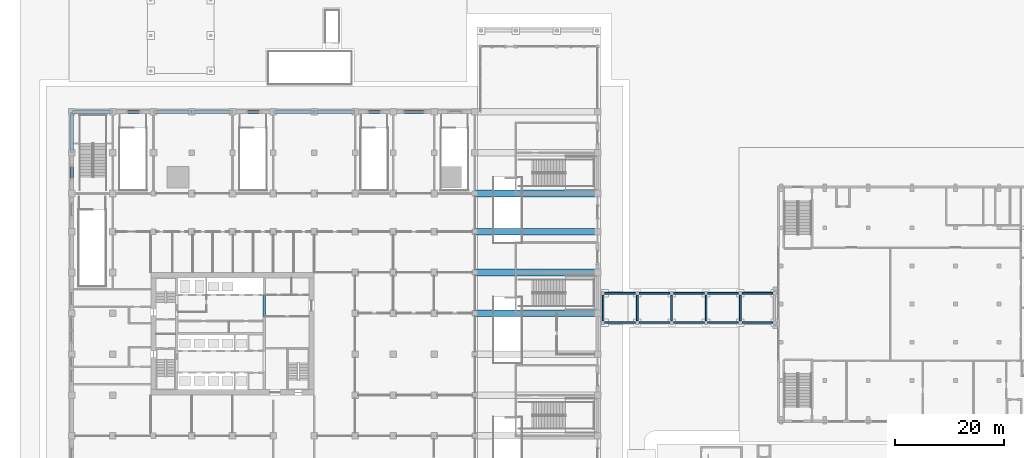
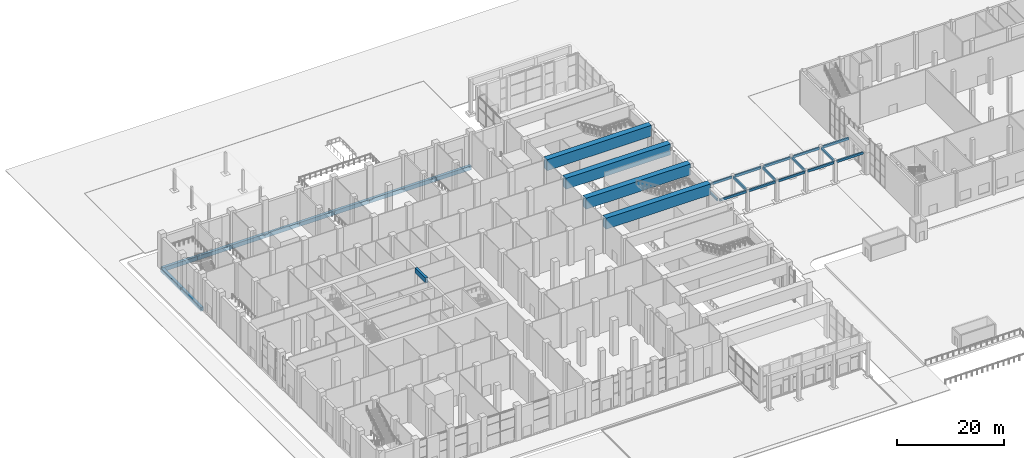
# One storey, part 12 of 57: 31 beams.
"""IFC4 building model written with IfcOpenShell, lengths in metres."""

from ifc_helpers import new_model, si_unit, direction, frame, origin, origin_2d, place, context, subcontext, project, spatial, rectangle, extrude, material, material_profile, profile_set, type_object, element, save


model = new_model("IFC4")

# Units and contexts
model_context = context("Model", 3, precision=1e-05, world=origin(), true_north=direction((0.0, 1.0)))
body_context = subcontext(model_context, "Body", "Model", "MODEL_VIEW")
ifc_project = project(units=[si_unit("LENGTHUNIT", "METRE"), si_unit("AREAUNIT", "SQUARE_METRE"), si_unit("VOLUMEUNIT", "CUBIC_METRE"), si_unit("PLANEANGLEUNIT", "RADIAN"), si_unit("MASSUNIT", "GRAM", prefix="KILO")], contexts=[model_context])

# Site, building, storey
site_placement = place(None, origin())
site = spatial("IfcSite", under=ifc_project, at=site_placement, CompositionType="ELEMENT")
building_placement = place(site_placement, origin())
building = spatial("IfcBuilding", under=site, at=building_placement, Name="Tamorin Gate", CompositionType="ELEMENT")
storey_placement = place(building_placement, origin())
storey = spatial("IfcBuildingStorey", under=building, at=storey_placement, Name="L00", CompositionType="ELEMENT", Elevation=0.0)

# Beams
ifc_material_1 = material(Name="Concrete C40/50", Category="concrete")
ifc_material_profile_1 = material_profile(ifc_material_1, rectangle(XDim=0.300048828125, YDim=0.5, at=origin_2d()))
ifc_profile_set_1 = profile_set([ifc_material_profile_1], Name="Concrete C40/50")
beam_type_1 = type_object("IfcBeamType", Name="RC arcade roof beam 300x500 C40/50", PredefinedType="BEAM", material=ifc_profile_set_1)
for number, where, z_axis, x_axis, name in (
    (1, (113.0, 73.60009765625, 4.5), (0.0, 1.0, 0.0), (-1.0, 0.0, 0.0), "Arcade roof beam"),
    (2, (119.300048828125, 73.60009765625, 4.5), (0.0, 1.0, 0.0), (-1.0, 0.0, 0.0), "Arcade roof beam"),
    (3, (125.60009765625, 73.60009765625, 4.5), (0.0, 1.0, 0.0), (-1.0, 0.0, 0.0), "Arcade roof beam"),
    (4, (131.89990234375, 73.60009765625, 4.5), (0.0, 1.0, 0.0), (-1.0, 0.0, 0.0), "Arcade roof beam"),
    (5, (138.199951171875, 73.60009765625, 4.5), (0.0, 1.0, 0.0), (-1.0, 0.0, 0.0), "Arcade roof beam"),
):
    element("IfcBeam", number, at=place(storey_placement, frame(where, z_axis=z_axis, x_axis=x_axis)), inside=storey, type_object=beam_type_1, Name=name, PredefinedType="BEAM", context=body_context, shape_type="SweptSolid", body=[
        extrude(rectangle(XDim=0.300048828125, YDim=0.5, at=origin_2d()), origin(), (0.0, 0.0, 1.0), 4.7998046875),
    ])
for number, where, z_axis, x_axis, name in (
    (6, (113.300048828125, 73.300048828125, 4.5), (1.0, 0.0, 0.0), (0.0, 1.0, 0.0), "Arcade roof beam"),
    (7, (119.60009765625, 73.300048828125, 4.5), (1.0, 0.0, 0.0), (0.0, 1.0, 0.0), "Arcade roof beam"),
):
    element("IfcBeam", number, at=place(storey_placement, frame(where, z_axis=z_axis, x_axis=x_axis)), inside=storey, type_object=beam_type_1, Name=name, PredefinedType="BEAM", context=body_context, shape_type="SweptSolid", body=[
        extrude(rectangle(XDim=0.300048828125, YDim=0.5, at=origin_2d()), origin(), (0.0, 0.0, 1.0), 5.699951171875),
    ])
beam_1_placement = place(storey_placement, frame((125.89990234375, 73.300048828125, 4.5), z_axis=(1.0, 0.0, 0.0), x_axis=(0.0, 1.0, 0.0)))
element("IfcBeam", 8, at=beam_1_placement, inside=storey, type_object=beam_type_1, Name="Arcade roof beam", PredefinedType="BEAM", context=body_context, shape_type="SweptSolid", body=[
    extrude(rectangle(XDim=0.300048828125, YDim=0.5, at=origin_2d()), origin(), (0.0, 0.0, 1.0), 5.7001953125),
])
for number, where, z_axis, x_axis, name in (
    (9, (132.199951171875, 73.300048828125, 4.5), (1.0, 0.0, 0.0), (0.0, 1.0, 0.0), "Arcade roof beam"),
    (10, (138.5, 73.300048828125, 4.5), (1.0, 0.0, 0.0), (0.0, 1.0, 0.0), "Arcade roof beam"),
    (11, (113.300048828125, 78.699951171875, 4.5), (1.0, 0.0, 0.0), (0.0, 1.0, 0.0), "Arcade roof beam"),
    (12, (119.60009765625, 78.699951171875, 4.5), (1.0, 0.0, 0.0), (0.0, 1.0, 0.0), "Arcade roof beam"),
):
    element("IfcBeam", number, at=place(storey_placement, frame(where, z_axis=z_axis, x_axis=x_axis)), inside=storey, type_object=beam_type_1, Name=name, PredefinedType="BEAM", context=body_context, shape_type="SweptSolid", body=[
        extrude(rectangle(XDim=0.300048828125, YDim=0.5, at=origin_2d()), origin(), (0.0, 0.0, 1.0), 5.699951171875),
    ])
beam_2_placement = place(storey_placement, frame((125.89990234375, 78.699951171875, 4.5), z_axis=(1.0, 0.0, 0.0), x_axis=(0.0, 1.0, 0.0)))
element("IfcBeam", 13, at=beam_2_placement, inside=storey, type_object=beam_type_1, Name="Arcade roof beam", PredefinedType="BEAM", context=body_context, shape_type="SweptSolid", body=[
    extrude(rectangle(XDim=0.300048828125, YDim=0.5, at=origin_2d()), origin(), (0.0, 0.0, 1.0), 5.7001953125),
])
for number, where, z_axis, x_axis, name in (
    (14, (132.199951171875, 78.699951171875, 4.5), (1.0, 0.0, 0.0), (0.0, 1.0, 0.0), "Arcade roof beam"),
    (15, (138.5, 78.699951171875, 4.5), (1.0, 0.0, 0.0), (0.0, 1.0, 0.0), "Arcade roof beam"),
):
    element("IfcBeam", number, at=place(storey_placement, frame(where, z_axis=z_axis, x_axis=x_axis)), inside=storey, type_object=beam_type_1, Name=name, PredefinedType="BEAM", context=body_context, shape_type="SweptSolid", body=[
        extrude(rectangle(XDim=0.300048828125, YDim=0.5, at=origin_2d()), origin(), (0.0, 0.0, 1.0), 5.699951171875),
    ])
ifc_material_2 = material(Name="Concrete C80/95", Category="concrete")
ifc_material_profile_2 = material_profile(ifc_material_2, rectangle(XDim=0.5, YDim=1.199951171875, at=origin_2d()), Name="RC 500x1200")
ifc_profile_set_2 = profile_set([ifc_material_profile_2], Name="Concrete C80/95")
beam_type_2 = type_object("IfcBeamType", Name="RC coupling beam 500x1200 C80/95", PredefinedType="BEAM", material=ifc_profile_set_2)
beam_3_placement = place(storey_placement, frame((50.85009765625, 74.449951171875, 7.39990234375), z_axis=(0.0, 1.0, 0.0), x_axis=(-1.0, 0.0, 0.0)))
element("IfcBeam", 16, at=beam_3_placement, inside=storey, type_object=beam_type_2, Name="Coupling beam L00", PredefinedType="BEAM", context=body_context, shape_type="SweptSolid", body=[
    extrude(rectangle(XDim=0.5, YDim=1.199951171875, at=origin_2d()), origin(), (0.0, 0.0, 1.0), 3.85009765625),
])
ifc_material_3 = material(Name="Concrete C50/60", Category="concrete")
ifc_material_profile_3 = material_profile(ifc_material_3, rectangle(XDim=0.60009765625, YDim=0.89990234375, at=origin_2d()), Name="RC 600x900")
ifc_profile_set_3 = profile_set([ifc_material_profile_3], Name="Concrete C50/60")
beam_type_3 = type_object("IfcBeamType", Name="RC spandrel 600x900 C50/60", PredefinedType="BEAM", material=ifc_profile_set_3)
beam_4_placement = place(storey_placement, frame((82.0, 112.0, -0.449951171875), z_axis=(-1.0, 0.0, 0.0), x_axis=(0.0, -1.0, 0.0)))
element("IfcBeam", 17, at=beam_4_placement, inside=storey, type_object=beam_type_3, Name="Spandrel beam L00", PredefinedType="BEAM", context=body_context, shape_type="SweptSolid", body=[
    extrude(rectangle(XDim=0.60009765625, YDim=0.89990234375, at=origin_2d()), origin(), (0.0, 0.0, 1.0), 7.5),
])
beam_5_placement = place(storey_placement, frame((74.5, 112.0, -0.449951171875), z_axis=(-1.0, 0.0, 0.0), x_axis=(0.0, -1.0, 0.0)))
element("IfcBeam", 18, at=beam_5_placement, inside=storey, type_object=beam_type_3, Name="Spandrel beam L00", PredefinedType="BEAM", context=body_context, shape_type="SweptSolid", body=[
    extrude(rectangle(XDim=0.60009765625, YDim=0.89990234375, at=origin_2d()), origin(), (0.0, 0.0, 1.0), 7.0),
])
for number, where, z_axis, x_axis, name in (
    (19, (67.5, 112.0, -0.449951171875), (-1.0, 0.0, 0.0), (0.0, -1.0, 0.0), "Spandrel beam L00"),
    (20, (60.0, 112.0, -0.449951171875), (-1.0, 0.0, 0.0), (0.0, -1.0, 0.0), "Spandrel beam L00"),
    (21, (52.5, 112.0, -0.449951171875), (-1.0, 0.0, 0.0), (0.0, -1.0, 0.0), "Spandrel beam L00"),
    (22, (45.0, 112.0, -0.449951171875), (-1.0, 0.0, 0.0), (0.0, -1.0, 0.0), "Spandrel beam L00"),
):
    element("IfcBeam", number, at=place(storey_placement, frame(where, z_axis=z_axis, x_axis=x_axis)), inside=storey, type_object=beam_type_3, Name=name, PredefinedType="BEAM", context=body_context, shape_type="SweptSolid", body=[
        extrude(rectangle(XDim=0.60009765625, YDim=0.89990234375, at=origin_2d()), origin(), (0.0, 0.0, 1.0), 7.5),
    ])
beam_6_placement = place(storey_placement, frame((37.5, 112.0, -0.449951171875), z_axis=(-1.0, 0.0, 0.0), x_axis=(0.0, -1.0, 0.0)))
element("IfcBeam", 23, at=beam_6_placement, inside=storey, type_object=beam_type_3, Name="Spandrel beam L00", PredefinedType="BEAM", context=body_context, shape_type="SweptSolid", body=[
    extrude(rectangle(XDim=0.60009765625, YDim=0.89990234375, at=origin_2d()), origin(), (0.0, 0.0, 1.0), 7.0),
])
for number, where, z_axis, x_axis, name in (
    (24, (30.5, 112.0, -0.449951171875), (-1.0, 0.0, 0.0), (0.0, -1.0, 0.0), "Spandrel beam L00"),
    (25, (23.0, 112.0, -0.449951171875), (-1.0, 0.0, 0.0), (0.0, -1.0, 0.0), "Spandrel beam L00"),
    (26, (15.5, 112.0, -0.449951171875), (0.0, -1.0, 0.0), (1.0, 0.0, 0.0), "Spandrel beam L00"),
    (27, (15.5, 104.5, -0.449951171875), (0.0, -1.0, 0.0), (1.0, 0.0, 0.0), "Spandrel beam L00"),
):
    element("IfcBeam", number, at=place(storey_placement, frame(where, z_axis=z_axis, x_axis=x_axis)), inside=storey, type_object=beam_type_3, Name=name, PredefinedType="BEAM", context=body_context, shape_type="SweptSolid", body=[
        extrude(rectangle(XDim=0.60009765625, YDim=0.89990234375, at=origin_2d()), origin(), (0.0, 0.0, 1.0), 7.5),
    ])
ifc_material_4 = material(Name="Concrete C60/75", Category="concrete")
ifc_material_profile_4 = material_profile(ifc_material_4, rectangle(XDim=1.199951171875, YDim=2.5, at=origin_2d()), Name="RC 1200x2500")
ifc_profile_set_4 = profile_set([ifc_material_profile_4], Name="Concrete C60/75")
beam_type_4 = type_object("IfcBeamType", Name="RC transfer girder 1200x2500 C60/75", PredefinedType="BEAM", material=ifc_profile_set_4)
for number, where, z_axis, x_axis, name in (
    (28, (89.5, 75.0, 6.75), (1.0, 0.0, 0.0), (0.0, 1.0, 0.0), "Transfer girder L00"),
    (29, (89.5, 82.5, 6.75), (1.0, 0.0, 0.0), (0.0, 1.0, 0.0), "Transfer girder L00"),
    (30, (89.5, 90.0, 6.75), (1.0, 0.0, 0.0), (0.0, 1.0, 0.0), "Transfer girder L00"),
    (31, (89.5, 97.0, 6.75), (1.0, 0.0, 0.0), (0.0, 1.0, 0.0), "Transfer girder L00"),
):
    element("IfcBeam", number, at=place(storey_placement, frame(where, z_axis=z_axis, x_axis=x_axis)), inside=storey, type_object=beam_type_4, Name=name, PredefinedType="BEAM", context=body_context, shape_type="SweptSolid", body=[
        extrude(rectangle(XDim=1.199951171875, YDim=2.5, at=origin_2d()), origin(), (0.0, 0.0, 1.0), 22.5),
    ])

save(model, "model.ifc")
